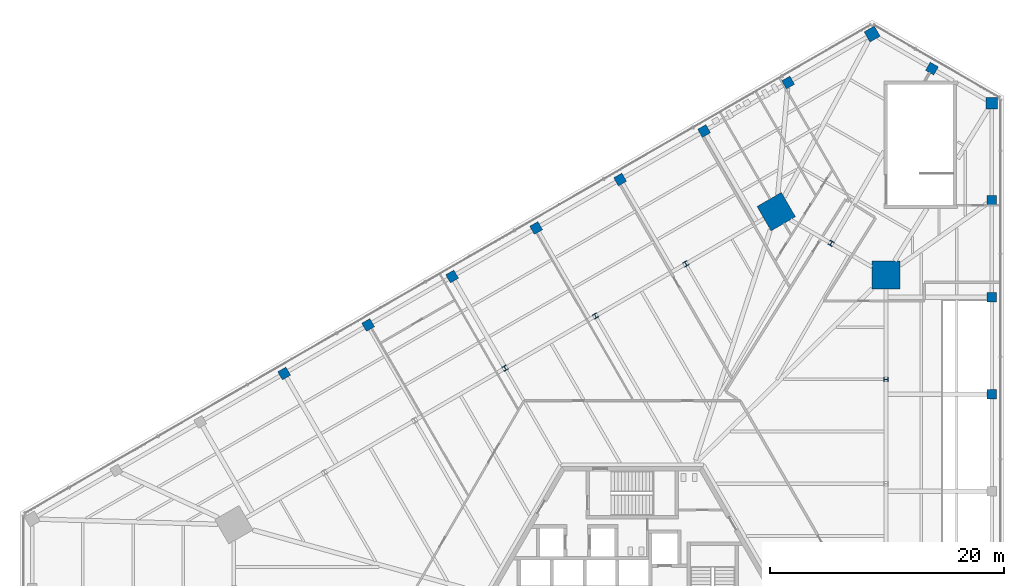
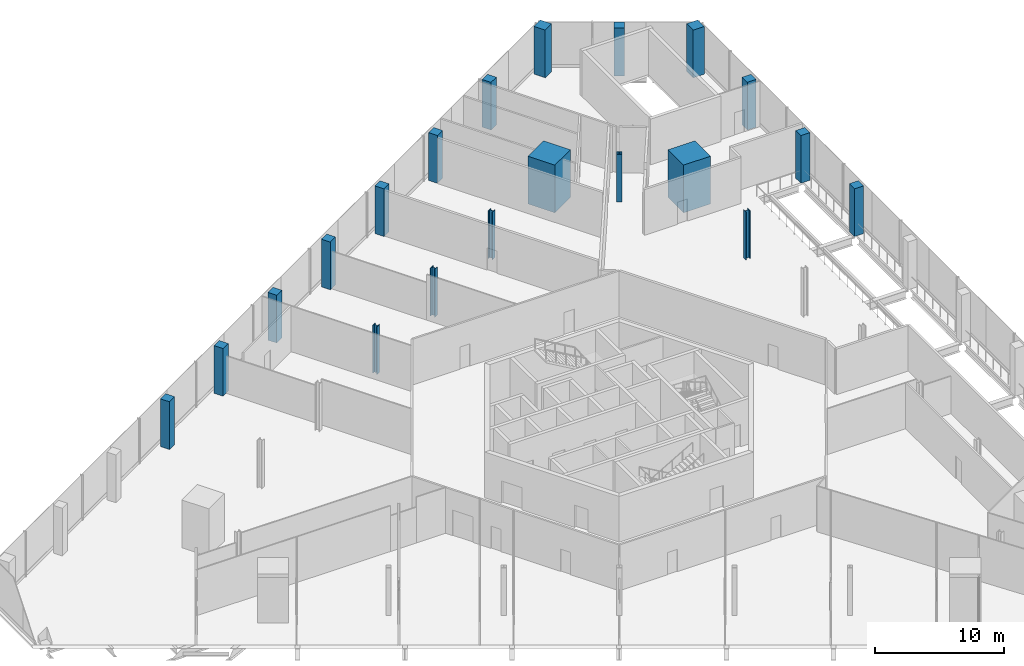
# One storey, part 4 of 25: 20 columns.
"""IFC4 building model written with IfcOpenShell, lengths in metres."""

from ifc_helpers import new_model, si_unit, direction, frame, origin, origin_2d, place, context, subcontext, project, spatial, rectangle, i_section, extrude, source, transform, mapped, material, material_profile, profile_set, type_object, element, save


model = new_model("IFC4")

# Units and contexts
model_context = context("Model", 3, precision=1e-05, world=origin(), true_north=direction((0.0, 1.0)))
body_context = subcontext(model_context, "Body", "Model", "MODEL_VIEW")
ifc_project = project(units=[si_unit("LENGTHUNIT", "METRE"), si_unit("AREAUNIT", "SQUARE_METRE"), si_unit("VOLUMEUNIT", "CUBIC_METRE"), si_unit("PLANEANGLEUNIT", "RADIAN"), si_unit("MASSUNIT", "GRAM", prefix="KILO")], contexts=[model_context])

# Site, building, storey
site_placement = place(None, origin())
site = spatial("IfcSite", under=ifc_project, at=site_placement, CompositionType="ELEMENT")
building_placement = place(site_placement, origin())
building = spatial("IfcBuilding", under=site, at=building_placement, Name="Triune Harvest Tower", CompositionType="ELEMENT")
storey_placement = place(building_placement, frame((0.0, 0.0, 11.5)))
storey = spatial("IfcBuildingStorey", under=building, at=storey_placement, Name="L02", CompositionType="ELEMENT", Elevation=11.5)

# Columns
ifc_material_1 = material(Name="Concrete 70 MPa", Category="concrete")
ifc_material_profile_1 = material_profile(ifc_material_1, rectangle(XDim=2.39990234375, YDim=2.39990234375, at=origin_2d()), Name="Composite 2400x2400")
ifc_profile_set_1 = profile_set([ifc_material_profile_1], Name="Concrete 70 MPa")
column_type_1 = type_object("IfcColumnType", Name="MC-1 Mega column Composite 2400x2400", PredefinedType="COLUMN", material=ifc_profile_set_1)
shared_shape_1 = source(origin(), body_context, "Body", "SweptSolid", [
    extrude(rectangle(XDim=2.39990234375, YDim=2.39990234375, at=origin_2d()), origin(), (0.0, 0.0, 1.0), 4.5),
])
for number, where, z_axis, x_axis, name in (
    (1, (21.679443359375, 26.72998046875, 0.0), (0.0, 0.0, 1.0), (0.0, 1.0, 0.0), "col/L02/M6"),
    (2, (12.30908203125, 32.139892578125, 0.0), (0.0, 0.0, 1.0), (-0.866025403784, -0.5, 0.0), "col/L02/M8"),
):
    element("IfcColumn", number, at=place(storey_placement, frame(where, z_axis=z_axis, x_axis=x_axis)), inside=storey, type_object=column_type_1, Name=name, PredefinedType="COLUMN", context=body_context, shape_type="MappedRepresentation", body=[
        mapped(shared_shape_1, transform((0.0, 0.0, 0.0), scale=1.0)),
    ])
ifc_material_2 = material(Name="Steel ASTM A992 Gr 50", Category="steel")
ifc_material_profile_2 = material_profile(ifc_material_2, i_section(OverallWidth=0.40380859375, OverallDepth=0.406494140625, WebThickness=0.027099609375, FlangeThickness=0.043701171875, at=origin_2d()), Name="W14x233")
ifc_profile_set_2 = profile_set([ifc_material_profile_2], Name="Steel ASTM A992 Gr 50")
column_type_2 = type_object("IfcColumnType", Name="PC-1 Perimeter column W14x233", PredefinedType="COLUMN", material=ifc_profile_set_2)
shared_shape_2 = source(origin(), body_context, "Body", "SweptSolid", [
    extrude(i_section(OverallWidth=0.40380859375, OverallDepth=0.406494140625, WebThickness=0.027099609375, FlangeThickness=0.043701171875, at=origin_2d()), origin(), (0.0, 0.0, 1.0), 4.5),
])
for number, where, z_axis, x_axis, name in (
    (3, (21.679443359375, 17.820068359375, 0.0), (0.0, 0.0, 1.0), (0.0, 1.0, 0.0), "col/L02/P5"),
    (4, (16.994384765625, 29.43505859375, 0.0), (0.0, 0.0, 1.0), (-0.866026276448, 0.4999984885, 0.0), "col/L02/P7"),
    (5, (4.5927734375, 27.68505859375, 0.0), (0.0, 0.0, 1.0), (-0.866025403784, -0.5, 0.0), "col/L02/P9"),
    (6, (-3.12353515625, 23.22998046875, 0.0), (0.0, 0.0, 1.0), (-0.866025403784, -0.5, 0.0), "col/L02/P10"),
    (7, (-10.839599609375, 18.77490234375, 0.0), (0.0, 0.0, 1.0), (-0.866025403784, -0.5, 0.0), "col/L02/P11"),
):
    element("IfcColumn", number, at=place(storey_placement, frame(where, z_axis=z_axis, x_axis=x_axis)), inside=storey, type_object=column_type_2, Name=name, PredefinedType="COLUMN", context=body_context, shape_type="MappedRepresentation", body=[
        mapped(shared_shape_2, transform((0.0, 0.0, 0.0), scale=1.0)),
    ])
ifc_material_3 = material(Name="Concrete 50 MPa", Category="concrete")
ifc_material_profile_3 = material_profile(ifc_material_3, rectangle(XDim=1.0, YDim=1.0, at=origin_2d()), Name="Concrete 1000x1000")
ifc_profile_set_3 = profile_set([ifc_material_profile_3], Name="Concrete 50 MPa")
column_type_3 = type_object("IfcColumnType", Name="PD-1 Podium column Concrete 1000x1000", PredefinedType="COLUMN", material=ifc_profile_set_3)
shared_shape_3 = source(origin(), body_context, "Body", "SweptSolid", [
    extrude(rectangle(XDim=1.0, YDim=1.0, at=origin_2d()), origin(), (0.0, 0.0, 1.0), 4.5),
])
for number, where, z_axis, x_axis, name in (
    (8, (30.715087890625, 41.39990234375, 0.0), (0.0, 0.0, 1.0), (0.0, 1.0, 0.0), "col/L02/D10"),
    (9, (20.495849609375, 47.300048828125, 0.0), (0.0, 0.0, 1.0), (-0.866025403784, -0.5, 0.0), "col/L02/D12"),
):
    element("IfcColumn", number, at=place(storey_placement, frame(where, z_axis=z_axis, x_axis=x_axis)), inside=storey, type_object=column_type_3, Name=name, PredefinedType="COLUMN", context=body_context, shape_type="MappedRepresentation", body=[
        mapped(shared_shape_3, transform((0.0, 0.0, 0.0), scale=1.0)),
    ])
ifc_material_4 = material(Name="Concrete 50 MPa", Category="concrete")
ifc_material_profile_4 = material_profile(ifc_material_4, rectangle(XDim=0.800048828125, YDim=0.800048828125, at=origin_2d()), Name="Concrete 800x800")
ifc_profile_set_4 = profile_set([ifc_material_profile_4], Name="Concrete 50 MPa")
column_type_4 = type_object("IfcColumnType", Name="PD-2 Podium column Concrete 800x800", PredefinedType="COLUMN", material=ifc_profile_set_4)
shared_shape_4 = source(origin(), body_context, "Body", "SweptSolid", [
    extrude(rectangle(XDim=0.800048828125, YDim=0.800048828125, at=origin_2d()), origin(), (0.0, 0.0, 1.0), 4.5),
])
for number, where, z_axis, x_axis, name in (
    (10, (30.715087890625, 16.56005859375, 0.0), (0.0, 0.0, 1.0), (0.0, 1.0, 0.0), "col/L02/D7"),
    (11, (30.715087890625, 24.840087890625, 0.0), (0.0, 0.0, 1.0), (0.0, 1.0, 0.0), "col/L02/D8"),
    (12, (30.715087890625, 33.1201171875, 0.0), (0.0, 0.0, 1.0), (0.0, 1.0, 0.0), "col/L02/D9"),
    (13, (25.60546875, 44.35009765625, 0.0), (0.0, 0.0, 1.0), (-0.866027149108, 0.499996976998, 0.0), "col/L02/D11"),
    (14, (13.3251953125, 43.159912109375, 0.0), (0.0, 0.0, 1.0), (-0.866025403784, -0.5, 0.0), "col/L02/D13"),
    (15, (6.154541015625, 39.02001953125, 0.0), (0.0, 0.0, 1.0), (-0.866025403784, -0.5, 0.0), "col/L02/D14"),
    (16, (-1.01611328125, 34.8798828125, 0.0), (0.0, 0.0, 1.0), (-0.866025403784, -0.5, 0.0), "col/L02/D15"),
    (17, (-8.18701171875, 30.739990234375, 0.0), (0.0, 0.0, 1.0), (-0.866025403784, -0.5, 0.0), "col/L02/D16"),
    (18, (-15.357421875, 26.60009765625, 0.0), (0.0, 0.0, 1.0), (-0.866025403784, -0.5, 0.0), "col/L02/D17"),
    (19, (-22.5283203125, 22.4599609375, 0.0), (0.0, 0.0, 1.0), (-0.866025403784, -0.5, 0.0), "col/L02/D18"),
    (20, (-29.698974609375, 18.320068359375, 0.0), (0.0, 0.0, 1.0), (-0.866025403784, -0.5, 0.0), "col/L02/D19"),
):
    element("IfcColumn", number, at=place(storey_placement, frame(where, z_axis=z_axis, x_axis=x_axis)), inside=storey, type_object=column_type_4, Name=name, PredefinedType="COLUMN", context=body_context, shape_type="MappedRepresentation", body=[
        mapped(shared_shape_4, transform((0.0, 0.0, 0.0), scale=1.0)),
    ])

save(model, "model.ifc")
